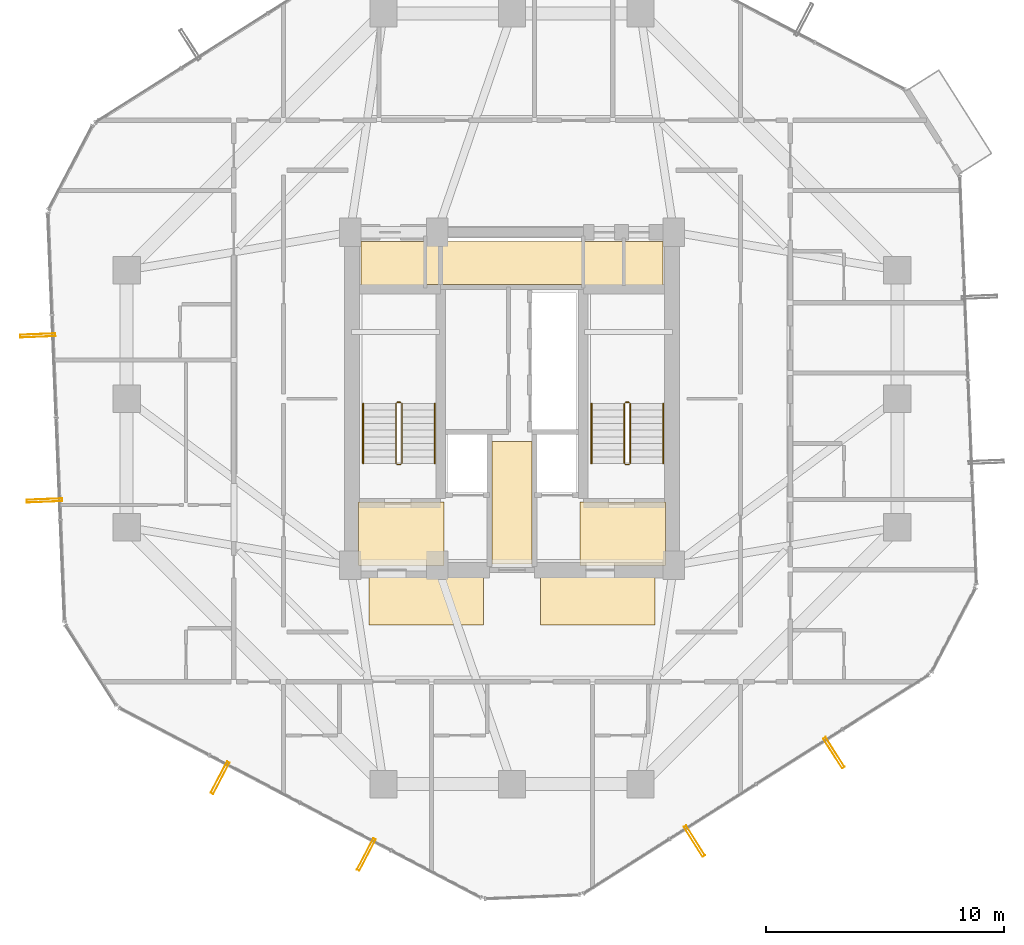
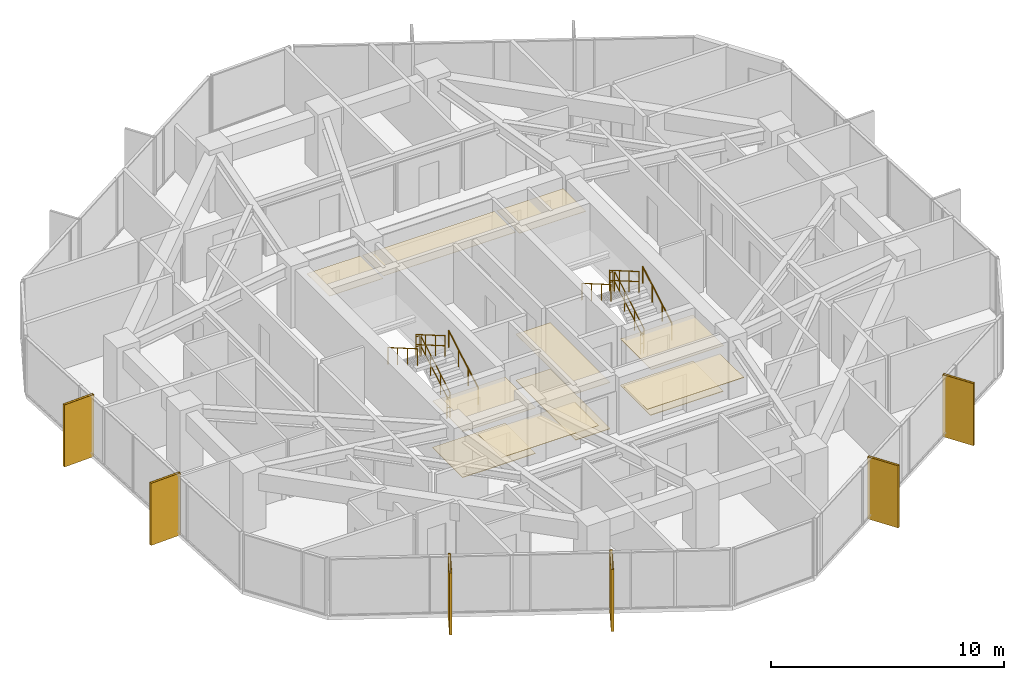
# One storey, part 31 of 32: 12 railings, 11 coverings, 6 shading devices.
"""IFC4 building model written with IfcOpenShell, lengths in metres."""

from ifc_helpers import new_model, si_unit, direction, frame, origin, origin_2d, place, context, subcontext, project, spatial, polyline, hollow_rectangle, circle, outline, extrude, material, layer, layer_set, material_profile, profile_set, type_object, element, save


model = new_model("IFC4")

# Units and contexts
model_context = context("Model", 3, precision=1e-05, world=origin(), true_north=direction((0.0, 1.0)))
body_context = subcontext(model_context, "Body", "Model", "MODEL_VIEW")
ifc_project = project(units=[si_unit("LENGTHUNIT", "METRE"), si_unit("AREAUNIT", "SQUARE_METRE"), si_unit("VOLUMEUNIT", "CUBIC_METRE"), si_unit("PLANEANGLEUNIT", "RADIAN"), si_unit("MASSUNIT", "GRAM", prefix="KILO")], contexts=[model_context])

# Site, building, storey
site_placement = place(None, origin())
site = spatial("IfcSite", under=ifc_project, at=site_placement, CompositionType="ELEMENT")
building_placement = place(site_placement, origin())
building = spatial("IfcBuilding", under=site, at=building_placement, Name="Veraguas Prism Commons", CompositionType="ELEMENT")
storey_placement = place(building_placement, frame((0.0, 0.0, 136.0)))
storey = spatial("IfcBuildingStorey", under=building, at=storey_placement, Name="L38", CompositionType="ELEMENT", Elevation=136.0)

# Shading devices
ifc_material_1 = material(Name="Anodised aluminium EN AW-6063 T6", Category="aluminium")
ifc_material_profile = material_profile(ifc_material_1, hollow_rectangle(XDim=0.1201171875, YDim=1.489990234375, WallThickness=0.006103515625, at=origin_2d()), Name="FIN120X1490X6")
ifc_profile_set = profile_set([ifc_material_profile], Name="Anodised aluminium EN AW-6063 T6")
shading_device_type = type_object("IfcShadingDeviceType", Name="Deep Pale-Metal Vertical Solar Fin 120x1490", PredefinedType="USERDEFINED", material=ifc_profile_set)
for number, where, z_axis, x_axis, name in (
    (1, (4.0673828125, 26.6591796875, -0.22998046875), (0.0, 0.0, 1.0), (0.040831095852, -0.99916606308, 0.0), "Vertical Pale-Metal Solar Fin L38-F3A"),
    (2, (4.3505859375, 19.723388671875, -0.22998046875), (0.0, 0.0, 1.0), (0.040831095852, -0.99916606308, 0.0), "Vertical Pale-Metal Solar Fin L38-F3B"),
    (3, (11.730712890625, 8.0673828125, -0.22998046875), (0.0, 0.0, 1.0), (0.885718741153, -0.464222265268, 0.0), "Vertical Pale-Metal Solar Fin L38-F4A"),
    (4, (17.879150390625, 4.844970703125, -0.22998046875), (0.0, 0.0, 1.0), (0.885718741153, -0.464222265268, 0.0), "Vertical Pale-Metal Solar Fin L38-F4B"),
    (5, (31.663330078125, 5.408203125, -0.22998046875), (0.0, 0.0, 1.0), (0.844887645301, 0.534943797813, 0.0), "Vertical Pale-Metal Solar Fin L38-F5A"),
    (6, (37.5283203125, 9.12158203125, -0.22998046875), (0.0, 0.0, 1.0), (0.844887645301, 0.534943797813, 0.0), "Vertical Pale-Metal Solar Fin L38-F5B"),
):
    element("IfcShadingDevice", number, at=place(storey_placement, frame(where, z_axis=z_axis, x_axis=x_axis)), inside=storey, type_object=shading_device_type, Name=name, ObjectType="FIN", PredefinedType="USERDEFINED", context=body_context, shape_type="SweptSolid", body=[
        extrude(hollow_rectangle(XDim=0.1201171875, YDim=1.489990234375, WallThickness=0.006103515625, at=origin_2d()), origin(), (0.0, 0.0, 1.0), 3.25),
    ])

# Coverings
ifc_material_2 = material(Name="Acoustic gypsum board")
ifc_layer_1 = layer(ifc_material_2, 0.02490234375, Name="Perforated Acoustic Ceiling Tile 25")
ifc_layer_set_1 = layer_set([ifc_layer_1], Name="Acoustic gypsum board")
covering_type_1 = type_object("IfcCoveringType", Name="Perforated Acoustic Ceiling Tile 25", PredefinedType="USERDEFINED", material=ifc_layer_set_1)
covering_1_placement = place(storey_placement, frame((0.0, 0.0, 2.425048828125)))
element("IfcCovering", 7, at=covering_1_placement, inside=storey, type_object=covering_type_1, Name="East Lobby Acoustic Ceiling L38", ObjectType="ACOUSTIC CEILING", PredefinedType="USERDEFINED", context=body_context, shape_type="SweptSolid", body=[
    extrude(outline(polyline([(26.85009765625, 17.0), (30.449951171875, 17.0), (30.449951171875, 19.64990234375), (26.85009765625, 19.64990234375), (26.85009765625, 17.0)])), origin(), (0.0, 0.0, 1.0), 0.02490234375),
])
ifc_material_3 = material(Name="Terrazzo stone finish", Category="masonry")
ifc_layer_2 = layer(ifc_material_3, 0.030029296875, Name="Polished Terrazzo Floor Finish 30", Category="masonry")
ifc_layer_set_2 = layer_set([ifc_layer_2], Name="Terrazzo stone finish")
covering_type_2 = type_object("IfcCoveringType", Name="Polished Terrazzo Floor Finish 30", PredefinedType="FLOORING", material=ifc_layer_set_2)
covering_2_placement = place(storey_placement, origin())
element("IfcCovering", 8, at=covering_2_placement, inside=storey, type_object=covering_type_2, Name="Terrazzo Lobby Flooring L38", PredefinedType="FLOORING", context=body_context, shape_type="SweptSolid", body=[
    extrude(outline(polyline([(23.14990234375, 17.050048828125), (24.85009765625, 17.050048828125), (24.85009765625, 22.199951171875), (23.14990234375, 22.199951171875), (23.14990234375, 17.050048828125)])), origin(), (0.0, 0.0, 1.0), 0.030029296875),
])
covering_3_placement = place(storey_placement, origin())
element("IfcCovering", 9, at=covering_3_placement, inside=storey, type_object=covering_type_2, Name="West FF Lobby Terrazzo Flooring L38", PredefinedType="FLOORING", context=body_context, shape_type="SweptSolid", body=[
    extrude(outline(polyline([(17.550048828125, 17.050048828125), (21.14990234375, 17.050048828125), (21.14990234375, 19.64990234375), (17.550048828125, 19.64990234375), (17.550048828125, 17.050048828125)])), origin(), (0.0, 0.0, 1.0), 0.030029296875),
])
covering_4_placement = place(storey_placement, origin())
element("IfcCovering", 10, at=covering_4_placement, inside=storey, type_object=covering_type_2, Name="East FF Lobby Terrazzo Flooring L38", PredefinedType="FLOORING", context=body_context, shape_type="SweptSolid", body=[
    extrude(outline(polyline([(26.85009765625, 17.050048828125), (30.449951171875, 17.050048828125), (30.449951171875, 19.64990234375), (26.85009765625, 19.64990234375), (26.85009765625, 17.050048828125)])), origin(), (0.0, 0.0, 1.0), 0.030029296875),
])

# Railings
ifc_material_4 = material(Name="Stainless steel AISI 316", Category="steel")
railing_type_1 = type_object("IfcRailingType", Name="Stair and Ramp Stainless Handrail 900", PredefinedType="HANDRAIL", material=ifc_material_4)
railing_1_placement = place(storey_placement, frame((20.75, 21.280029296875, 0.16259765625)))
element("IfcRailing", 11, at=railing_1_placement, inside=storey, type_object=railing_type_1, Name="Stair Handrail ST-01 L38-1", PredefinedType="HANDRAIL", context=body_context, shape_type="SweptSolid", body=[
    extrude(circle(Radius=0.02392578125, at=origin_2d()), frame((0.0, 0.0, 0.8759765625), z_axis=(0.0, 0.864913338283, 0.50192122615), x_axis=(-1.0, 0.0, 0.0)), (0.0, 0.0, 1.0), 2.91357421875),
    extrude(circle(Radius=0.02099609375, at=origin_2d()), origin(), (0.0, 0.0, 1.0), 0.851806640625),
    extrude(circle(Radius=0.02099609375, at=origin_2d()), frame((0.0, 0.840087890625, 0.487548828125)), (0.0, 0.0, 1.0), 0.851806640625),
    extrude(circle(Radius=0.02099609375, at=origin_2d()), frame((0.0, 1.679931640625, 0.974853515625)), (0.0, 0.0, 1.0), 0.851806640625),
    extrude(circle(Radius=0.02099609375, at=origin_2d()), frame((0.0, 2.52001953125, 1.46240234375)), (0.0, 0.0, 1.0), 0.851806640625),
])
railing_2_placement = place(storey_placement, frame((17.739990234375, 23.800048828125, 1.78759765625)))
element("IfcRailing", 12, at=railing_2_placement, inside=storey, type_object=railing_type_1, Name="Stair Handrail ST-01 L38-2", PredefinedType="HANDRAIL", context=body_context, shape_type="SweptSolid", body=[
    extrude(circle(Radius=0.02392578125, at=origin_2d()), frame((0.0, 0.0, 0.8759765625), z_axis=(0.0, -0.864913338283, 0.50192122615), x_axis=(1.0, 0.0, 0.0)), (0.0, 0.0, 1.0), 2.91357421875),
    extrude(circle(Radius=0.02099609375, at=origin_2d()), origin(), (0.0, 0.0, 1.0), 0.851806640625),
    extrude(circle(Radius=0.02099609375, at=origin_2d()), frame((0.0, -0.840087890625, 0.487548828125)), (0.0, 0.0, 1.0), 0.851806640625),
    extrude(circle(Radius=0.02099609375, at=origin_2d()), frame((0.0, -1.679931640625, 0.974853515625)), (0.0, 0.0, 1.0), 0.851806640625),
    extrude(circle(Radius=0.02099609375, at=origin_2d()), frame((0.0, -2.52001953125, 1.46240234375)), (0.0, 0.0, 1.0), 0.851806640625),
])
railing_3_placement = place(storey_placement, frame((30.35009765625, 21.280029296875, 0.16259765625)))
element("IfcRailing", 13, at=railing_3_placement, inside=storey, type_object=railing_type_1, Name="Stair Handrail ST-02 L38-1", PredefinedType="HANDRAIL", context=body_context, shape_type="SweptSolid", body=[
    extrude(circle(Radius=0.02392578125, at=origin_2d()), frame((0.0, 0.0, 0.8759765625), z_axis=(0.0, 0.864913338283, 0.50192122615), x_axis=(-1.0, 0.0, 0.0)), (0.0, 0.0, 1.0), 2.91357421875),
    extrude(circle(Radius=0.02099609375, at=origin_2d()), origin(), (0.0, 0.0, 1.0), 0.851806640625),
    extrude(circle(Radius=0.02099609375, at=origin_2d()), frame((0.0, 0.840087890625, 0.487548828125)), (0.0, 0.0, 1.0), 0.851806640625),
    extrude(circle(Radius=0.02099609375, at=origin_2d()), frame((0.0, 1.679931640625, 0.974853515625)), (0.0, 0.0, 1.0), 0.851806640625),
    extrude(circle(Radius=0.02099609375, at=origin_2d()), frame((0.0, 2.52001953125, 1.46240234375)), (0.0, 0.0, 1.0), 0.851806640625),
])
railing_4_placement = place(storey_placement, frame((27.340087890625, 23.800048828125, 1.78759765625)))
element("IfcRailing", 14, at=railing_4_placement, inside=storey, type_object=railing_type_1, Name="Stair Handrail ST-02 L38-2", PredefinedType="HANDRAIL", context=body_context, shape_type="SweptSolid", body=[
    extrude(circle(Radius=0.02392578125, at=origin_2d()), frame((0.0, 0.0, 0.8759765625), z_axis=(0.0, -0.864913338283, 0.50192122615), x_axis=(1.0, 0.0, 0.0)), (0.0, 0.0, 1.0), 2.91357421875),
    extrude(circle(Radius=0.02099609375, at=origin_2d()), origin(), (0.0, 0.0, 1.0), 0.851806640625),
    extrude(circle(Radius=0.02099609375, at=origin_2d()), frame((0.0, -0.840087890625, 0.487548828125)), (0.0, 0.0, 1.0), 0.851806640625),
    extrude(circle(Radius=0.02099609375, at=origin_2d()), frame((0.0, -1.679931640625, 0.974853515625)), (0.0, 0.0, 1.0), 0.851806640625),
    extrude(circle(Radius=0.02099609375, at=origin_2d()), frame((0.0, -2.52001953125, 1.46240234375)), (0.0, 0.0, 1.0), 0.851806640625),
])
railing_type_2 = type_object("IfcRailingType", Name="Stairwell Safety Guardrail 1100", PredefinedType="GUARDRAIL", material=ifc_material_4)
railing_5_placement = place(storey_placement, frame((19.3701171875, 21.280029296875, 0.16259765625)))
element("IfcRailing", 15, at=railing_5_placement, inside=storey, type_object=railing_type_2, Name="Stair Guard ST-01 L38-1", PredefinedType="GUARDRAIL", context=body_context, shape_type="SweptSolid", body=[
    extrude(circle(Radius=0.02392578125, at=origin_2d()), frame((0.0, 0.0, 1.076171875), z_axis=(0.0, 0.864913338283, 0.50192122615), x_axis=(-1.0, 0.0, 0.0)), (0.0, 0.0, 1.0), 2.91357421875),
    extrude(circle(Radius=0.02392578125, at=origin_2d()), frame((0.0, 0.0, 0.550048828125), z_axis=(0.0, 0.864913338283, 0.50192122615), x_axis=(-1.0, 0.0, 0.0)), (0.0, 0.0, 1.0), 2.91357421875),
    extrude(circle(Radius=0.02099609375, at=origin_2d()), origin(), (0.0, 0.0, 1.0), 1.052001953125),
    extrude(circle(Radius=0.02099609375, at=origin_2d()), frame((0.0, 0.840087890625, 0.487548828125)), (0.0, 0.0, 1.0), 1.052001953125),
    extrude(circle(Radius=0.02099609375, at=origin_2d()), frame((0.0, 1.679931640625, 0.974853515625)), (0.0, 0.0, 1.0), 1.052001953125),
    extrude(circle(Radius=0.02099609375, at=origin_2d()), frame((0.0, 2.52001953125, 1.46240234375)), (0.0, 0.0, 1.0), 1.052001953125),
])
railing_6_placement = place(storey_placement, frame((19.320068359375, 23.85009765625, 1.625)))
element("IfcRailing", 16, at=railing_6_placement, inside=storey, type_object=railing_type_2, Name="Stair Guard ST-01 L38-2", PredefinedType="GUARDRAIL", context=body_context, shape_type="SweptSolid", body=[
    extrude(circle(Radius=0.02392578125, at=origin_2d()), frame((0.0, 0.0, 1.076171875), z_axis=(-1.0, 0.0, 0.0), x_axis=(0.0, -1.0, 0.0)), (0.0, 0.0, 1.0), 0.150146484375),
    extrude(circle(Radius=0.02392578125, at=origin_2d()), frame((0.0, 0.0, 0.550048828125), z_axis=(-1.0, 0.0, 0.0), x_axis=(0.0, -1.0, 0.0)), (0.0, 0.0, 1.0), 0.150146484375),
    extrude(circle(Radius=0.02099609375, at=origin_2d()), origin(), (0.0, 0.0, 1.0), 1.052001953125),
    extrude(circle(Radius=0.02099609375, at=origin_2d()), frame((-0.150146484375, 0.0, 0.0)), (0.0, 0.0, 1.0), 1.052001953125),
])
railing_7_placement = place(storey_placement, frame((19.1201171875, 23.800048828125, 1.78759765625)))
element("IfcRailing", 17, at=railing_7_placement, inside=storey, type_object=railing_type_2, Name="Stair Guard ST-01 L38-3", PredefinedType="GUARDRAIL", context=body_context, shape_type="SweptSolid", body=[
    extrude(circle(Radius=0.02392578125, at=origin_2d()), frame((0.0, 0.0, 1.076171875), z_axis=(0.0, -0.864913338283, 0.50192122615), x_axis=(1.0, 0.0, 0.0)), (0.0, 0.0, 1.0), 2.91357421875),
    extrude(circle(Radius=0.02392578125, at=origin_2d()), frame((0.0, 0.0, 0.550048828125), z_axis=(0.0, -0.864913338283, 0.50192122615), x_axis=(1.0, 0.0, 0.0)), (0.0, 0.0, 1.0), 2.91357421875),
    extrude(circle(Radius=0.02099609375, at=origin_2d()), origin(), (0.0, 0.0, 1.0), 1.052001953125),
    extrude(circle(Radius=0.02099609375, at=origin_2d()), frame((0.0, -0.840087890625, 0.487548828125)), (0.0, 0.0, 1.0), 1.052001953125),
    extrude(circle(Radius=0.02099609375, at=origin_2d()), frame((0.0, -1.679931640625, 0.974853515625)), (0.0, 0.0, 1.0), 1.052001953125),
    extrude(circle(Radius=0.02099609375, at=origin_2d()), frame((0.0, -2.52001953125, 1.46240234375)), (0.0, 0.0, 1.0), 1.052001953125),
])
railing_8_placement = place(storey_placement, frame((19.320068359375, 21.22998046875, 0.0)))
element("IfcRailing", 18, at=railing_8_placement, inside=storey, type_object=railing_type_2, Name="Stair Guard ST-01 L38-4", PredefinedType="GUARDRAIL", context=body_context, shape_type="SweptSolid", body=[
    extrude(circle(Radius=0.02392578125, at=origin_2d()), frame((0.0, 0.0, 1.076171875), z_axis=(-1.0, 0.0, 0.0), x_axis=(0.0, -1.0, 0.0)), (0.0, 0.0, 1.0), 0.150146484375),
    extrude(circle(Radius=0.02392578125, at=origin_2d()), frame((0.0, 0.0, 0.550048828125), z_axis=(-1.0, 0.0, 0.0), x_axis=(0.0, -1.0, 0.0)), (0.0, 0.0, 1.0), 0.150146484375),
    extrude(circle(Radius=0.02099609375, at=origin_2d()), origin(), (0.0, 0.0, 1.0), 1.052001953125),
    extrude(circle(Radius=0.02099609375, at=origin_2d()), frame((-0.150146484375, 0.0, 0.0)), (0.0, 0.0, 1.0), 1.052001953125),
])
railing_9_placement = place(storey_placement, frame((28.969970703125, 21.280029296875, 0.16259765625)))
element("IfcRailing", 19, at=railing_9_placement, inside=storey, type_object=railing_type_2, Name="Stair Guard ST-02 L38-1", PredefinedType="GUARDRAIL", context=body_context, shape_type="SweptSolid", body=[
    extrude(circle(Radius=0.02392578125, at=origin_2d()), frame((0.0, 0.0, 1.076171875), z_axis=(0.0, 0.864913338283, 0.50192122615), x_axis=(-1.0, 0.0, 0.0)), (0.0, 0.0, 1.0), 2.91357421875),
    extrude(circle(Radius=0.02392578125, at=origin_2d()), frame((0.0, 0.0, 0.550048828125), z_axis=(0.0, 0.864913338283, 0.50192122615), x_axis=(-1.0, 0.0, 0.0)), (0.0, 0.0, 1.0), 2.91357421875),
    extrude(circle(Radius=0.02099609375, at=origin_2d()), origin(), (0.0, 0.0, 1.0), 1.052001953125),
    extrude(circle(Radius=0.02099609375, at=origin_2d()), frame((0.0, 0.840087890625, 0.487548828125)), (0.0, 0.0, 1.0), 1.052001953125),
    extrude(circle(Radius=0.02099609375, at=origin_2d()), frame((0.0, 1.679931640625, 0.974853515625)), (0.0, 0.0, 1.0), 1.052001953125),
    extrude(circle(Radius=0.02099609375, at=origin_2d()), frame((0.0, 2.52001953125, 1.46240234375)), (0.0, 0.0, 1.0), 1.052001953125),
])
railing_10_placement = place(storey_placement, frame((28.919921875, 23.85009765625, 1.625)))
element("IfcRailing", 20, at=railing_10_placement, inside=storey, type_object=railing_type_2, Name="Stair Guard ST-02 L38-2", PredefinedType="GUARDRAIL", context=body_context, shape_type="SweptSolid", body=[
    extrude(circle(Radius=0.02392578125, at=origin_2d()), frame((0.0, 0.0, 1.076171875), z_axis=(-1.0, 0.0, 0.0), x_axis=(0.0, -1.0, 0.0)), (0.0, 0.0, 1.0), 0.14990234375),
    extrude(circle(Radius=0.02392578125, at=origin_2d()), frame((0.0, 0.0, 0.550048828125), z_axis=(-1.0, 0.0, 0.0), x_axis=(0.0, -1.0, 0.0)), (0.0, 0.0, 1.0), 0.14990234375),
    extrude(circle(Radius=0.02099609375, at=origin_2d()), origin(), (0.0, 0.0, 1.0), 1.052001953125),
    extrude(circle(Radius=0.02099609375, at=origin_2d()), frame((-0.14990234375, 0.0, 0.0)), (0.0, 0.0, 1.0), 1.052001953125),
])
railing_11_placement = place(storey_placement, frame((28.719970703125, 23.800048828125, 1.78759765625)))
element("IfcRailing", 21, at=railing_11_placement, inside=storey, type_object=railing_type_2, Name="Stair Guard ST-02 L38-3", PredefinedType="GUARDRAIL", context=body_context, shape_type="SweptSolid", body=[
    extrude(circle(Radius=0.02392578125, at=origin_2d()), frame((0.0, 0.0, 1.076171875), z_axis=(0.0, -0.864913338283, 0.50192122615), x_axis=(1.0, 0.0, 0.0)), (0.0, 0.0, 1.0), 2.91357421875),
    extrude(circle(Radius=0.02392578125, at=origin_2d()), frame((0.0, 0.0, 0.550048828125), z_axis=(0.0, -0.864913338283, 0.50192122615), x_axis=(1.0, 0.0, 0.0)), (0.0, 0.0, 1.0), 2.91357421875),
    extrude(circle(Radius=0.02099609375, at=origin_2d()), origin(), (0.0, 0.0, 1.0), 1.052001953125),
    extrude(circle(Radius=0.02099609375, at=origin_2d()), frame((0.0, -0.840087890625, 0.487548828125)), (0.0, 0.0, 1.0), 1.052001953125),
    extrude(circle(Radius=0.02099609375, at=origin_2d()), frame((0.0, -1.679931640625, 0.974853515625)), (0.0, 0.0, 1.0), 1.052001953125),
    extrude(circle(Radius=0.02099609375, at=origin_2d()), frame((0.0, -2.52001953125, 1.46240234375)), (0.0, 0.0, 1.0), 1.052001953125),
])
railing_12_placement = place(storey_placement, frame((28.919921875, 21.22998046875, 0.0)))
element("IfcRailing", 22, at=railing_12_placement, inside=storey, type_object=railing_type_2, Name="Stair Guard ST-02 L38-4", PredefinedType="GUARDRAIL", context=body_context, shape_type="SweptSolid", body=[
    extrude(circle(Radius=0.02392578125, at=origin_2d()), frame((0.0, 0.0, 1.076171875), z_axis=(-1.0, 0.0, 0.0), x_axis=(0.0, -1.0, 0.0)), (0.0, 0.0, 1.0), 0.14990234375),
    extrude(circle(Radius=0.02392578125, at=origin_2d()), frame((0.0, 0.0, 0.550048828125), z_axis=(-1.0, 0.0, 0.0), x_axis=(0.0, -1.0, 0.0)), (0.0, 0.0, 1.0), 0.14990234375),
    extrude(circle(Radius=0.02099609375, at=origin_2d()), origin(), (0.0, 0.0, 1.0), 1.052001953125),
    extrude(circle(Radius=0.02099609375, at=origin_2d()), frame((-0.14990234375, 0.0, 0.0)), (0.0, 0.0, 1.0), 1.052001953125),
])

# Coverings
ifc_layer_3 = layer(ifc_material_2, 0.02001953125, Name="Suspended Gypsum Ceiling 20")
ifc_layer_set_3 = layer_set([ifc_layer_3], Name="Acoustic gypsum board")
covering_type_3 = type_object("IfcCoveringType", Name="Suspended Gypsum Ceiling 20", PredefinedType="CEILING", material=ifc_layer_set_3)
covering_5_placement = place(storey_placement, frame((0.0, 0.0, 2.429931640625)))
element("IfcCovering", 23, at=covering_5_placement, inside=storey, type_object=covering_type_3, Name="West Lobby Suspended Gypsum Ceiling L38", PredefinedType="CEILING", context=body_context, shape_type="SweptSolid", body=[
    extrude(outline(polyline([(17.550048828125, 17.0), (21.14990234375, 17.0), (21.14990234375, 19.64990234375), (17.550048828125, 19.64990234375), (17.550048828125, 17.0)])), origin(), (0.0, 0.0, 1.0), 0.02001953125),
])
covering_6_placement = place(storey_placement, frame((0.0, 0.0, 2.429931640625)))
element("IfcCovering", 24, at=covering_6_placement, inside=storey, type_object=covering_type_3, Name="Core Lobby Acoustic Ceiling L38-1", PredefinedType="CEILING", context=body_context, shape_type="SweptSolid", body=[
    extrude(outline(polyline([(18.0, 14.5), (22.800048828125, 14.5), (22.800048828125, 16.550048828125), (18.0, 16.550048828125), (18.0, 14.5)])), origin(), (0.0, 0.0, 1.0), 0.02001953125),
])
covering_7_placement = place(storey_placement, frame((0.0, 0.0, 2.429931640625)))
element("IfcCovering", 25, at=covering_7_placement, inside=storey, type_object=covering_type_3, Name="Core Lobby Acoustic Ceiling L38-2", PredefinedType="CEILING", context=body_context, shape_type="SweptSolid", body=[
    extrude(outline(polyline([(25.199951171875, 14.5), (30.0, 14.5), (30.0, 16.550048828125), (25.199951171875, 16.550048828125), (25.199951171875, 14.5)])), origin(), (0.0, 0.0, 1.0), 0.02001953125),
])
covering_8_placement = place(storey_placement, frame((0.0, 0.0, 2.429931640625)))
element("IfcCovering", 26, at=covering_8_placement, inside=storey, type_object=covering_type_3, Name="Core Lobby Acoustic Ceiling L38-3", PredefinedType="CEILING", context=body_context, shape_type="SweptSolid", body=[
    extrude(outline(polyline([(23.14990234375, 17.050048828125), (24.85009765625, 17.050048828125), (24.85009765625, 22.199951171875), (23.14990234375, 22.199951171875), (23.14990234375, 17.050048828125)])), origin(), (0.0, 0.0, 1.0), 0.02001953125),
])
covering_9_placement = place(storey_placement, frame((0.0, 0.0, 2.429931640625)))
element("IfcCovering", 27, at=covering_9_placement, inside=storey, type_object=covering_type_3, Name="Core Lobby Acoustic Ceiling L38-4", PredefinedType="CEILING", context=body_context, shape_type="SweptSolid", body=[
    extrude(outline(polyline([(17.64990234375, 28.64990234375), (20.300048828125, 28.64990234375), (20.300048828125, 30.60009765625), (17.64990234375, 30.60009765625), (17.64990234375, 28.64990234375)])), origin(), (0.0, 0.0, 1.0), 0.02001953125),
])
covering_10_placement = place(storey_placement, frame((0.0, 0.0, 2.429931640625)))
element("IfcCovering", 28, at=covering_10_placement, inside=storey, type_object=covering_type_3, Name="Core Lobby Acoustic Ceiling L38-5", PredefinedType="CEILING", context=body_context, shape_type="SweptSolid", body=[
    extrude(outline(polyline([(27.050048828125, 28.64990234375), (30.35009765625, 28.64990234375), (30.35009765625, 30.60009765625), (27.050048828125, 30.60009765625), (27.050048828125, 28.64990234375)])), origin(), (0.0, 0.0, 1.0), 0.02001953125),
])
covering_11_placement = place(storey_placement, frame((0.0, 0.0, 2.429931640625)))
element("IfcCovering", 29, at=covering_11_placement, inside=storey, type_object=covering_type_3, Name="Core Lobby Acoustic Ceiling L38-6", PredefinedType="CEILING", context=body_context, shape_type="SweptSolid", body=[
    extrude(outline(polyline([(20.39990234375, 28.800048828125), (26.949951171875, 28.800048828125), (26.949951171875, 30.60009765625), (20.39990234375, 30.60009765625), (20.39990234375, 28.800048828125)])), origin(), (0.0, 0.0, 1.0), 0.02001953125),
])

save(model, "model.ifc")
